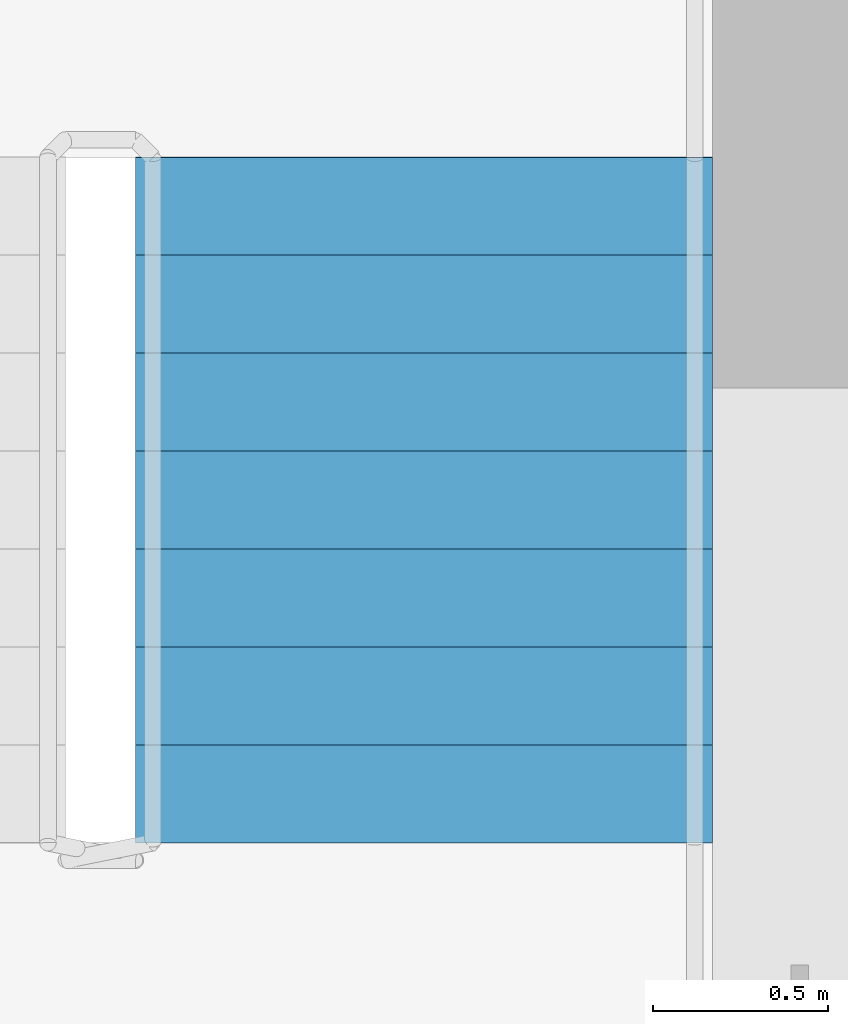
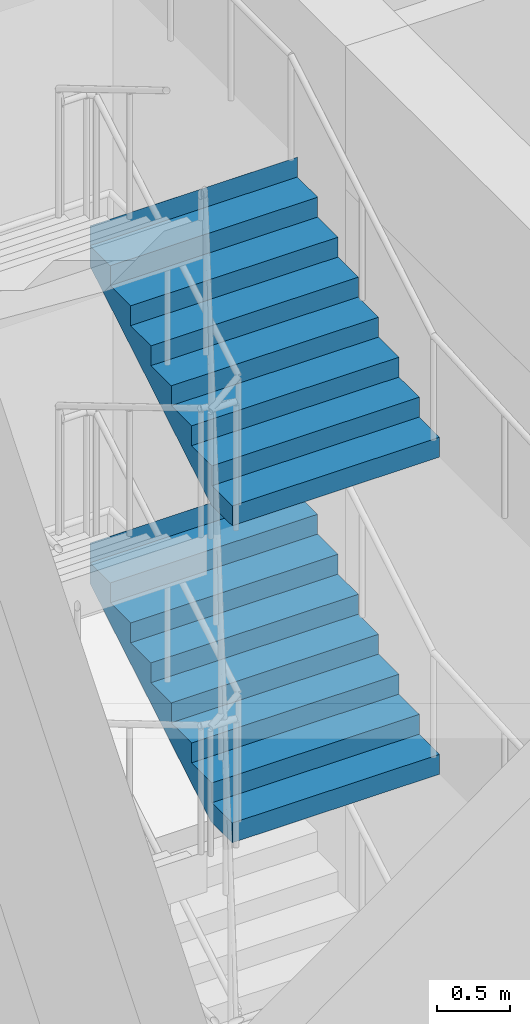
# One storey, part 7 of 11: 2 stair flights, 1 element without a shape of its own.
"""IFC4 building model written with IfcOpenShell, lengths in metres."""

from ifc_helpers import new_model, si_unit, direction, frame, origin, place, context, subcontext, project, spatial, polyline, outline, extrude, material, type_object, element, aggregate, save


model = new_model("IFC4")

# Units and contexts
model_context = context("Model", 3, precision=1e-05, world=origin(), true_north=direction((0.0, 1.0)))
body_context = subcontext(model_context, "Body", "Model", "MODEL_VIEW")
ifc_project = project(units=[si_unit("LENGTHUNIT", "METRE"), si_unit("AREAUNIT", "SQUARE_METRE"), si_unit("VOLUMEUNIT", "CUBIC_METRE"), si_unit("PLANEANGLEUNIT", "RADIAN"), si_unit("MASSUNIT", "GRAM", prefix="KILO")], contexts=[model_context])

# Site, building, storey
site_placement = place(None, origin())
site = spatial("IfcSite", under=ifc_project, at=site_placement, CompositionType="ELEMENT")
building_placement = place(site_placement, origin())
building = spatial("IfcBuilding", under=site, at=building_placement, Name="Tamorin Gate", CompositionType="ELEMENT")
storey_placement = place(building_placement, frame((0.0, 0.0, 258.199951171875)))
storey = spatial("IfcBuildingStorey", under=building, at=storey_placement, Name="L65", CompositionType="ELEMENT", Elevation=258.199951171875)

# Stair, stair flights
ifc_material = material(Name="Concrete C40/50", Category="concrete")
stair_type = type_object("IfcStairType", Name="Exit stair", PredefinedType="HALF_TURN_STAIR", material=ifc_material)
stair_placement = place(storey_placement, origin())
stair = element("IfcStair", 1, at=stair_placement, inside=storey, type_object=stair_type, Name="L65 stair ST2", PredefinedType="HALF_TURN_STAIR")
stair_flight_type = type_object("IfcStairFlightType", Name="Exit stair flight", PredefinedType="STRAIGHT", material=ifc_material)
stair_flight_1_placement = place(storey_placement, frame((33.675048828125, 77.0, 2.666748046875), z_axis=(0.0, 0.0, 1.0), x_axis=(0.0, 1.0, 0.0)))
stair_flight_1 = element("IfcStairFlight", 2, at=stair_flight_1_placement, type_object=stair_flight_type, Name="ST2 flight 3", NumberOfRisers=8, NumberOfTreads=7, PredefinedType="STRAIGHT", RiserHeight=0.166666667, TreadLength=0.28, context=body_context, shape_type="SweptSolid", body=[
    extrude(outline(polyline([(-0.00048828125, 0.0), (-0.00048828125, 0.001708984375), (-0.00048828125, 0.00341796875), (-0.00048828125, 0.0048828125), (-0.00048828125, 0.006591796875), (-0.00048828125, 0.00830078125), (-0.00048828125, 0.010009765625), (-0.00048828125, 0.011474609375), (-0.00048828125, 0.01318359375), (-0.00048828125, 0.014892578125), (-0.00048828125, 0.0166015625), (-0.00048828125, 0.01806640625), (-0.00048828125, 0.019775390625), (-0.00048828125, 0.021484375), (-0.00048828125, 0.023193359375), (-0.00048828125, 0.024658203125), (-0.00048828125, 0.0263671875), (-0.00048828125, 0.028076171875), (-0.00048828125, 0.02978515625), (-0.00048828125, 0.03125), (-0.00048828125, 0.032958984375), (-0.00048828125, 0.03466796875), (-0.00048828125, 0.036376953125), (-0.00048828125, 0.037841796875), (-0.00048828125, 0.03955078125), (-0.00048828125, 0.041259765625), (-0.00048828125, 0.04296875), (-0.00048828125, 0.04443359375), (-0.00048828125, 0.046142578125), (-0.00048828125, 0.0478515625), (-0.00048828125, 0.049560546875), (-0.00048828125, 0.05126953125), (-0.00048828125, 0.052734375), (-0.00048828125, 0.054443359375), (-0.00048828125, 0.05615234375), (-0.00048828125, 0.057861328125), (-0.00048828125, 0.059326171875), (-0.00048828125, 0.06103515625), (-0.00048828125, 0.062744140625), (-0.00048828125, 0.064453125), (-0.00048828125, 0.06591796875), (-0.00048828125, 0.067626953125), (-0.00048828125, 0.0693359375), (-0.00048828125, 0.071044921875), (-0.00048828125, 0.072509765625), (-0.00048828125, 0.07421875), (-0.00048828125, 0.075927734375), (-0.00048828125, 0.07763671875), (-0.00048828125, 0.0791015625), (-0.00048828125, 0.080810546875), (-0.00048828125, 0.08251953125), (-0.00048828125, 0.084228515625), (-0.00048828125, 0.085693359375), (-0.00048828125, 0.08740234375), (-0.00048828125, 0.089111328125), (-0.00048828125, 0.0908203125), (-0.00048828125, 0.092529296875), (-0.00048828125, 0.093994140625), (-0.00048828125, 0.095703125), (-0.00048828125, 0.097412109375), (-0.00048828125, 0.09912109375), (-0.00048828125, 0.1005859375), (-0.00048828125, 0.102294921875), (-0.00048828125, 0.10400390625), (-0.00048828125, 0.105712890625), (-0.00048828125, 0.107177734375), (-0.00048828125, 0.10888671875), (-0.00048828125, 0.110595703125), (-0.00048828125, 0.1123046875), (-0.00048828125, 0.11376953125), (-0.00048828125, 0.115478515625), (-0.00048828125, 0.1171875), (-0.00048828125, 0.118896484375), (-0.00048828125, 0.120361328125), (-0.00048828125, 0.1220703125), (-0.00048828125, 0.123779296875), (-0.00048828125, 0.12548828125), (-0.00048828125, 0.126953125), (-0.00048828125, 0.128662109375), (-0.00048828125, 0.13037109375), (-0.00048828125, 0.132080078125), (-0.00048828125, 0.133544921875), (-0.00048828125, 0.13525390625), (-0.00048828125, 0.136962890625), (-0.00048828125, 0.138671875), (-0.00048828125, 0.140380859375), (-0.00048828125, 0.141845703125), (-0.00048828125, 0.1435546875), (-0.00048828125, 0.145263671875), (-0.00048828125, 0.14697265625), (-0.00048828125, 0.1484375), (-0.00048828125, 0.150146484375), (-0.00048828125, 0.15185546875), (-0.00048828125, 0.153564453125), (-0.00048828125, 0.155029296875), (-0.00048828125, 0.15673828125), (-0.00048828125, 0.158447265625), (-0.00048828125, 0.16015625), (-0.00048828125, 0.16162109375), (-0.00048828125, 0.163330078125), (-0.00048828125, 0.1650390625), (-0.00048828125, 0.166748046875), (0.280029296875, 0.166748046875), (0.280029296875, 0.333251953125), (0.56005859375, 0.333251953125), (0.56005859375, 0.5), (0.840087890625, 0.5), (0.840087890625, 0.666748046875), (1.1201171875, 0.666748046875), (1.1201171875, 0.833251953125), (1.39990234375, 0.833251953125), (1.39990234375, 1.0), (1.679931640625, 1.0), (1.679931640625, 1.166748046875), (1.9599609375, 1.166748046875), (1.9599609375, 1.333251953125), (1.96044921875, 1.333251953125), (1.96044921875, 1.329833984375), (1.96044921875, 1.32666015625), (1.96044921875, 1.3232421875), (1.96044921875, 1.31982421875), (1.96044921875, 1.31640625), (1.96044921875, 1.31298828125), (1.96044921875, 1.3095703125), (1.96044921875, 1.306396484375), (1.96044921875, 1.302978515625), (1.96044921875, 1.299560546875), (1.96044921875, 1.296142578125), (1.96044921875, 1.292724609375), (1.96044921875, 1.289306640625), (1.96044921875, 1.2861328125), (1.96044921875, 1.28271484375), (1.96044921875, 1.279296875), (1.96044921875, 1.27587890625), (1.96044921875, 1.2724609375), (1.96044921875, 1.26904296875), (1.96044921875, 1.265869140625), (1.96044921875, 1.262451171875), (1.96044921875, 1.259033203125), (1.96044921875, 1.255615234375), (1.96044921875, 1.252197265625), (1.96044921875, 1.248779296875), (1.96044921875, 1.24560546875), (1.96044921875, 1.2421875), (1.96044921875, 1.23876953125), (1.96044921875, 1.2353515625), (1.96044921875, 1.23193359375), (1.96044921875, 1.228515625), (1.96044921875, 1.225341796875), (1.96044921875, 1.221923828125), (1.96044921875, 1.218505859375), (1.96044921875, 1.215087890625), (1.96044921875, 1.211669921875), (1.96044921875, 1.208251953125), (1.96044921875, 1.205078125), (1.96044921875, 1.20166015625), (1.96044921875, 1.1982421875), (1.96044921875, 1.19482421875), (1.96044921875, 1.19140625), (1.96044921875, 1.18798828125), (1.96044921875, 1.184814453125), (1.96044921875, 1.181396484375), (1.96044921875, 1.177978515625), (1.96044921875, 1.174560546875), (1.96044921875, 1.171142578125), (1.96044921875, 1.167724609375), (1.96044921875, 1.16455078125), (1.96044921875, 1.1611328125), (1.96044921875, 1.15771484375), (1.96044921875, 1.154296875), (1.96044921875, 1.15087890625), (1.96044921875, 1.1474609375), (1.96044921875, 1.144287109375), (1.96044921875, 1.140869140625), (1.96044921875, 1.137451171875), (1.96044921875, 1.134033203125), (1.96044921875, 1.130615234375), (1.96044921875, 1.127197265625), (1.96044921875, 1.1240234375), (1.96044921875, 1.12060546875), (1.96044921875, 1.1171875), (1.96044921875, 1.11376953125), (1.96044921875, 1.1103515625), (1.96044921875, 1.10693359375), (1.96044921875, 1.103759765625), (1.96044921875, 1.100341796875), (1.96044921875, 1.096923828125), (1.96044921875, 1.093505859375), (1.96044921875, 1.090087890625), (1.96044921875, 1.086669921875), (1.96044921875, 1.08349609375), (1.96044921875, 1.080078125), (1.96044921875, 1.07666015625), (1.96044921875, 1.0732421875), (1.96044921875, 1.06982421875), (1.96044921875, 1.06640625), (1.96044921875, 1.063232421875), (1.96044921875, 1.059814453125), (1.96044921875, 1.056396484375), (1.96044921875, 1.052978515625), (1.96044921875, 1.049560546875), (1.96044921875, 1.046142578125), (1.96044921875, 1.04296875), (1.96044921875, 1.03955078125), (1.96044921875, 1.0361328125), (1.96044921875, 1.03271484375), (1.96044921875, 1.029296875), (1.96044921875, 1.02587890625), (1.96044921875, 1.022705078125), (1.96044921875, 1.019287109375), (1.96044921875, 1.015869140625), (1.96044921875, 1.012451171875), (1.96044921875, 1.009033203125), (1.96044921875, 1.005615234375), (1.96044921875, 1.00244140625), (1.96044921875, 0.9990234375), (1.96044921875, 0.99560546875), (1.96044921875, 0.9921875), (1.9599609375, 0.9921875), (0.29296875, 0.0), (-0.00048828125, 0.0)])), frame((0.0, 0.824951171875, 0.0), z_axis=(0.0, -1.0, 0.0), x_axis=(1.0, 0.0, 0.0)), (0.0, 0.0, 1.0), 1.64990234375),
])
stair_flight_2_placement = place(storey_placement, frame((33.675048828125, 77.0, 5.33349609375), z_axis=(0.0, 0.0, 1.0), x_axis=(0.0, 1.0, 0.0)))
stair_flight_2 = element("IfcStairFlight", 3, at=stair_flight_2_placement, type_object=stair_flight_type, Name="ST2 flight 5", NumberOfRisers=8, NumberOfTreads=7, PredefinedType="STRAIGHT", RiserHeight=0.166666667, TreadLength=0.28, context=body_context, shape_type="SweptSolid", body=[
    extrude(outline(polyline([(-0.00048828125, 0.0), (-0.00048828125, 0.001708984375), (-0.00048828125, 0.00341796875), (-0.00048828125, 0.0048828125), (-0.00048828125, 0.006591796875), (-0.00048828125, 0.00830078125), (-0.00048828125, 0.010009765625), (-0.00048828125, 0.011474609375), (-0.00048828125, 0.01318359375), (-0.00048828125, 0.014892578125), (-0.00048828125, 0.0166015625), (-0.00048828125, 0.01806640625), (-0.00048828125, 0.019775390625), (-0.00048828125, 0.021484375), (-0.00048828125, 0.023193359375), (-0.00048828125, 0.024658203125), (-0.00048828125, 0.0263671875), (-0.00048828125, 0.028076171875), (-0.00048828125, 0.02978515625), (-0.00048828125, 0.03125), (-0.00048828125, 0.032958984375), (-0.00048828125, 0.03466796875), (-0.00048828125, 0.036376953125), (-0.00048828125, 0.037841796875), (-0.00048828125, 0.03955078125), (-0.00048828125, 0.041259765625), (-0.00048828125, 0.04296875), (-0.00048828125, 0.04443359375), (-0.00048828125, 0.046142578125), (-0.00048828125, 0.0478515625), (-0.00048828125, 0.049560546875), (-0.00048828125, 0.05126953125), (-0.00048828125, 0.052734375), (-0.00048828125, 0.054443359375), (-0.00048828125, 0.05615234375), (-0.00048828125, 0.057861328125), (-0.00048828125, 0.059326171875), (-0.00048828125, 0.06103515625), (-0.00048828125, 0.062744140625), (-0.00048828125, 0.064453125), (-0.00048828125, 0.06591796875), (-0.00048828125, 0.067626953125), (-0.00048828125, 0.0693359375), (-0.00048828125, 0.071044921875), (-0.00048828125, 0.072509765625), (-0.00048828125, 0.07421875), (-0.00048828125, 0.075927734375), (-0.00048828125, 0.07763671875), (-0.00048828125, 0.0791015625), (-0.00048828125, 0.080810546875), (-0.00048828125, 0.08251953125), (-0.00048828125, 0.084228515625), (-0.00048828125, 0.085693359375), (-0.00048828125, 0.08740234375), (-0.00048828125, 0.089111328125), (-0.00048828125, 0.0908203125), (-0.00048828125, 0.092529296875), (-0.00048828125, 0.093994140625), (-0.00048828125, 0.095703125), (-0.00048828125, 0.097412109375), (-0.00048828125, 0.09912109375), (-0.00048828125, 0.1005859375), (-0.00048828125, 0.102294921875), (-0.00048828125, 0.10400390625), (-0.00048828125, 0.105712890625), (-0.00048828125, 0.107177734375), (-0.00048828125, 0.10888671875), (-0.00048828125, 0.110595703125), (-0.00048828125, 0.1123046875), (-0.00048828125, 0.11376953125), (-0.00048828125, 0.115478515625), (-0.00048828125, 0.1171875), (-0.00048828125, 0.118896484375), (-0.00048828125, 0.120361328125), (-0.00048828125, 0.1220703125), (-0.00048828125, 0.123779296875), (-0.00048828125, 0.12548828125), (-0.00048828125, 0.126953125), (-0.00048828125, 0.128662109375), (-0.00048828125, 0.13037109375), (-0.00048828125, 0.132080078125), (-0.00048828125, 0.133544921875), (-0.00048828125, 0.13525390625), (-0.00048828125, 0.136962890625), (-0.00048828125, 0.138671875), (-0.00048828125, 0.140380859375), (-0.00048828125, 0.141845703125), (-0.00048828125, 0.1435546875), (-0.00048828125, 0.145263671875), (-0.00048828125, 0.14697265625), (-0.00048828125, 0.1484375), (-0.00048828125, 0.150146484375), (-0.00048828125, 0.15185546875), (-0.00048828125, 0.153564453125), (-0.00048828125, 0.155029296875), (-0.00048828125, 0.15673828125), (-0.00048828125, 0.158447265625), (-0.00048828125, 0.16015625), (-0.00048828125, 0.16162109375), (-0.00048828125, 0.163330078125), (-0.00048828125, 0.1650390625), (-0.00048828125, 0.166748046875), (0.280029296875, 0.166748046875), (0.280029296875, 0.333251953125), (0.56005859375, 0.333251953125), (0.56005859375, 0.5), (0.840087890625, 0.5), (0.840087890625, 0.666748046875), (1.1201171875, 0.666748046875), (1.1201171875, 0.833251953125), (1.39990234375, 0.833251953125), (1.39990234375, 1.0), (1.679931640625, 1.0), (1.679931640625, 1.166748046875), (1.9599609375, 1.166748046875), (1.9599609375, 1.333251953125), (1.96044921875, 1.333251953125), (1.96044921875, 1.329833984375), (1.96044921875, 1.32666015625), (1.96044921875, 1.3232421875), (1.96044921875, 1.31982421875), (1.96044921875, 1.31640625), (1.96044921875, 1.31298828125), (1.96044921875, 1.3095703125), (1.96044921875, 1.306396484375), (1.96044921875, 1.302978515625), (1.96044921875, 1.299560546875), (1.96044921875, 1.296142578125), (1.96044921875, 1.292724609375), (1.96044921875, 1.289306640625), (1.96044921875, 1.2861328125), (1.96044921875, 1.28271484375), (1.96044921875, 1.279296875), (1.96044921875, 1.27587890625), (1.96044921875, 1.2724609375), (1.96044921875, 1.26904296875), (1.96044921875, 1.265869140625), (1.96044921875, 1.262451171875), (1.96044921875, 1.259033203125), (1.96044921875, 1.255615234375), (1.96044921875, 1.252197265625), (1.96044921875, 1.248779296875), (1.96044921875, 1.24560546875), (1.96044921875, 1.2421875), (1.96044921875, 1.23876953125), (1.96044921875, 1.2353515625), (1.96044921875, 1.23193359375), (1.96044921875, 1.228515625), (1.96044921875, 1.225341796875), (1.96044921875, 1.221923828125), (1.96044921875, 1.218505859375), (1.96044921875, 1.215087890625), (1.96044921875, 1.211669921875), (1.96044921875, 1.208251953125), (1.96044921875, 1.205078125), (1.96044921875, 1.20166015625), (1.96044921875, 1.1982421875), (1.96044921875, 1.19482421875), (1.96044921875, 1.19140625), (1.96044921875, 1.18798828125), (1.96044921875, 1.184814453125), (1.96044921875, 1.181396484375), (1.96044921875, 1.177978515625), (1.96044921875, 1.174560546875), (1.96044921875, 1.171142578125), (1.96044921875, 1.167724609375), (1.96044921875, 1.16455078125), (1.96044921875, 1.1611328125), (1.96044921875, 1.15771484375), (1.96044921875, 1.154296875), (1.96044921875, 1.15087890625), (1.96044921875, 1.1474609375), (1.96044921875, 1.144287109375), (1.96044921875, 1.140869140625), (1.96044921875, 1.137451171875), (1.96044921875, 1.134033203125), (1.96044921875, 1.130615234375), (1.96044921875, 1.127197265625), (1.96044921875, 1.1240234375), (1.96044921875, 1.12060546875), (1.96044921875, 1.1171875), (1.96044921875, 1.11376953125), (1.96044921875, 1.1103515625), (1.96044921875, 1.10693359375), (1.96044921875, 1.103759765625), (1.96044921875, 1.100341796875), (1.96044921875, 1.096923828125), (1.96044921875, 1.093505859375), (1.96044921875, 1.090087890625), (1.96044921875, 1.086669921875), (1.96044921875, 1.08349609375), (1.96044921875, 1.080078125), (1.96044921875, 1.07666015625), (1.96044921875, 1.0732421875), (1.96044921875, 1.06982421875), (1.96044921875, 1.06640625), (1.96044921875, 1.063232421875), (1.96044921875, 1.059814453125), (1.96044921875, 1.056396484375), (1.96044921875, 1.052978515625), (1.96044921875, 1.049560546875), (1.96044921875, 1.046142578125), (1.96044921875, 1.04296875), (1.96044921875, 1.03955078125), (1.96044921875, 1.0361328125), (1.96044921875, 1.03271484375), (1.96044921875, 1.029296875), (1.96044921875, 1.02587890625), (1.96044921875, 1.022705078125), (1.96044921875, 1.019287109375), (1.96044921875, 1.015869140625), (1.96044921875, 1.012451171875), (1.96044921875, 1.009033203125), (1.96044921875, 1.005615234375), (1.96044921875, 1.00244140625), (1.96044921875, 0.9990234375), (1.96044921875, 0.99560546875), (1.96044921875, 0.9921875), (1.9599609375, 0.9921875), (0.29296875, 0.0), (-0.00048828125, 0.0)])), frame((0.0, 0.824951171875, 0.0), z_axis=(0.0, -1.0, 0.0), x_axis=(1.0, 0.0, 0.0)), (0.0, 0.0, 1.0), 1.64990234375),
])
aggregate(stair, [stair_flight_1, stair_flight_2])

save(model, "model.ifc")
